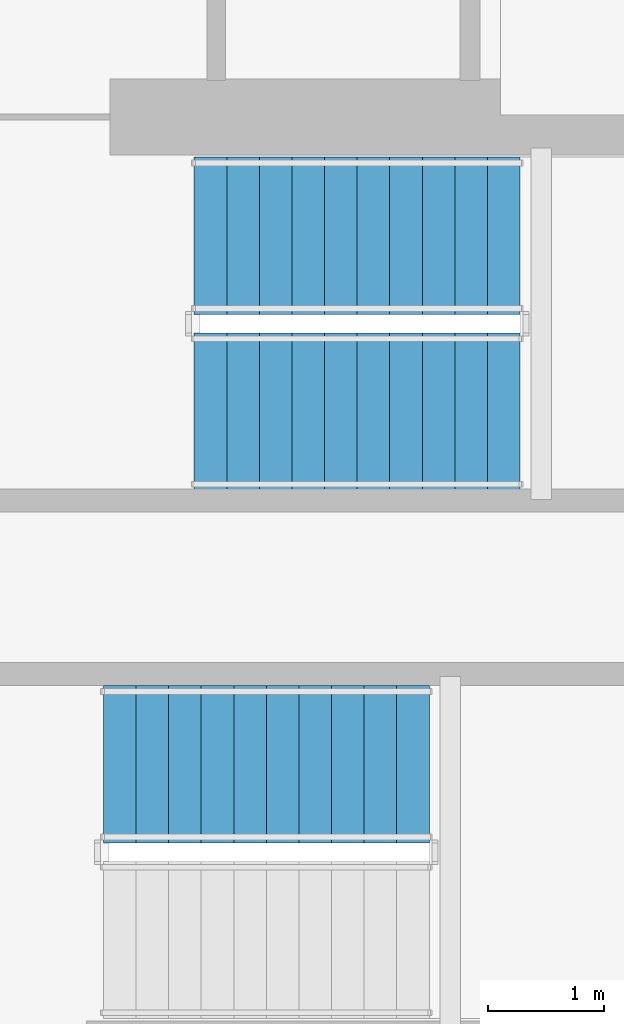
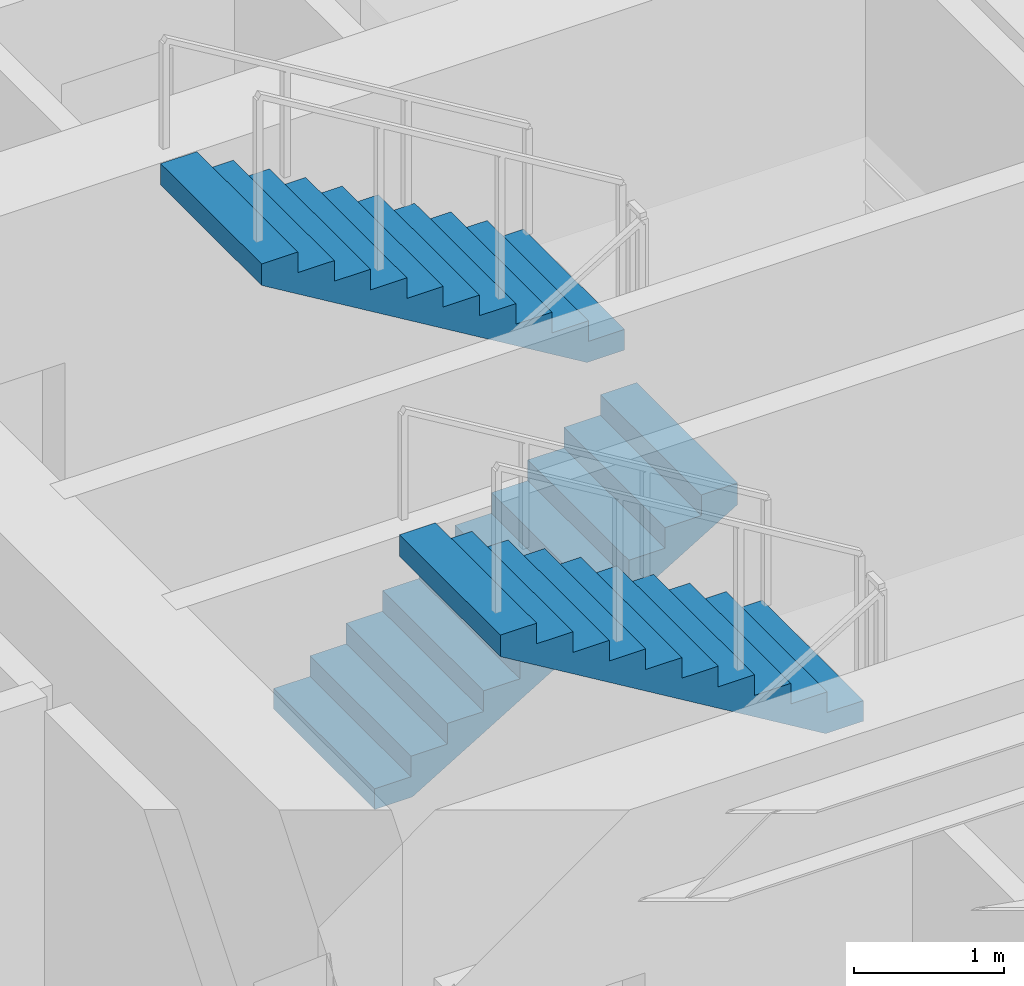
# One storey, part 19 of 23: 3 stair flights, 2 elements without a shape of their own.
"""IFC4 building model written with IfcOpenShell, lengths in metres."""

from ifc_helpers import new_model, si_unit, direction, frame, origin, place, context, subcontext, project, spatial, polyline, outline, extrude, material, type_object, element, aggregate, save


model = new_model("IFC4")

# Units and contexts
model_context = context("Model", 3, precision=1e-05, world=origin(), true_north=direction((0.0, 1.0)))
body_context = subcontext(model_context, "Body", "Model", "MODEL_VIEW")
ifc_project = project(units=[si_unit("LENGTHUNIT", "METRE"), si_unit("AREAUNIT", "SQUARE_METRE"), si_unit("VOLUMEUNIT", "CUBIC_METRE"), si_unit("PLANEANGLEUNIT", "RADIAN"), si_unit("MASSUNIT", "GRAM", prefix="KILO")], contexts=[model_context])

# Site, building, storey
site_placement = place(None, origin())
site = spatial("IfcSite", under=ifc_project, at=site_placement, CompositionType="ELEMENT")
building_placement = place(site_placement, origin())
building = spatial("IfcBuilding", under=site, at=building_placement, Name="Qianvela Tower", CompositionType="ELEMENT")
storey_placement = place(building_placement, frame((0.0, 0.0, 36.800048828125)))
storey = spatial("IfcBuildingStorey", under=building, at=storey_placement, Name="L08", CompositionType="ELEMENT", Elevation=36.800048828125)

# Stair, stair flights
ifc_material_1 = material(Name="Concrete C40", Category="concrete")
stair_type = type_object("IfcStairType", Name="ST-DOGLEG-1350-R168-N22", PredefinedType="HALF_TURN_STAIR", material=ifc_material_1)
stair_1_placement = place(storey_placement, origin())
stair_1 = element("IfcStair", 1, at=stair_1_placement, inside=storey, type_object=stair_type, Name="L08 Smoke-Proof Core Stair ST-1", PredefinedType="HALF_TURN_STAIR")
ifc_material_2 = material(Name="Concrete C40", Category="concrete")
stair_flight_type = type_object("IfcStairFlightType", Name="STF-STRAIGHT-R168-P11", PredefinedType="STRAIGHT", material=ifc_material_2)
stair_flight_1_placement = place(storey_placement, frame((32.199951171875, 30.215087890625, 0.0), z_axis=(0.0, 0.0, 1.0), x_axis=(1.0, 0.0, 0.0)))
stair_flight_1 = element("IfcStairFlight", 2, at=stair_flight_1_placement, type_object=stair_flight_type, Name="ST-1 flight 1", NumberOfRisers=11, NumberOfTreads=10, PredefinedType="STRAIGHT", RiserHeight=0.168181818, TreadLength=0.28, context=body_context, shape_type="SweptSolid", body=[
    extrude(outline(polyline([(0.0, 0.0), (0.0, 0.168212890625), (0.280029296875, 0.168212890625), (0.280029296875, 0.33642578125), (0.56005859375, 0.33642578125), (0.56005859375, 0.504638671875), (0.840087890625, 0.504638671875), (0.840087890625, 0.672607421875), (1.1201171875, 0.672607421875), (1.1201171875, 0.8408203125), (1.39990234375, 0.8408203125), (1.39990234375, 1.009033203125), (1.679931640625, 1.009033203125), (1.679931640625, 1.17724609375), (1.9599609375, 1.17724609375), (1.9599609375, 1.345458984375), (2.239990234375, 1.345458984375), (2.239990234375, 1.513671875), (2.52001953125, 1.513671875), (2.52001953125, 1.681884765625), (2.800048828125, 1.681884765625), (2.800048828125, 1.85009765625), (2.800048828125, 1.5068359375), (0.291015625, 0.0), (0.0, 0.0)])), frame((0.0, 0.675048828125, 0.0), z_axis=(0.0, -1.0, 0.0), x_axis=(1.0, 0.0, 0.0)), (0.0, 0.0, 1.0), 1.35009765625),
])
stair_flight_2_placement = place(storey_placement, frame((35.0, 31.72509765625, 1.849853515625), z_axis=(0.0, 0.0, 1.0), x_axis=(-1.0, 0.0, 0.0)))
stair_flight_2 = element("IfcStairFlight", 3, at=stair_flight_2_placement, type_object=stair_flight_type, Name="ST-1 flight 2", NumberOfRisers=11, NumberOfTreads=10, PredefinedType="STRAIGHT", RiserHeight=0.168181818, TreadLength=0.28, context=body_context, shape_type="SweptSolid", body=[
    extrude(outline(polyline([(0.0, 0.0), (0.0, 0.168212890625), (0.280029296875, 0.168212890625), (0.280029296875, 0.33642578125), (0.56005859375, 0.33642578125), (0.56005859375, 0.504638671875), (0.840087890625, 0.504638671875), (0.840087890625, 0.672607421875), (1.1201171875, 0.672607421875), (1.1201171875, 0.8408203125), (1.39990234375, 0.8408203125), (1.39990234375, 1.009033203125), (1.679931640625, 1.009033203125), (1.679931640625, 1.17724609375), (1.9599609375, 1.17724609375), (1.9599609375, 1.345458984375), (2.239990234375, 1.345458984375), (2.239990234375, 1.513671875), (2.52001953125, 1.513671875), (2.52001953125, 1.681884765625), (2.800048828125, 1.681884765625), (2.800048828125, 1.85009765625), (2.800048828125, 1.5068359375), (0.291015625, 0.0), (0.0, 0.0)])), frame((0.0, 0.675048828125, 0.0), z_axis=(0.0, -1.0, 0.0), x_axis=(1.0, 0.0, 0.0)), (0.0, 0.0, 1.0), 1.35009765625),
])
aggregate(stair_1, [stair_flight_1, stair_flight_2])

# Stair, stair flight
stair_2_placement = place(storey_placement, origin())
stair_2 = element("IfcStair", 4, at=stair_2_placement, inside=storey, type_object=stair_type, Name="L08 Smoke-Proof Core Stair ST-2", PredefinedType="HALF_TURN_STAIR")
stair_flight_3_placement = place(storey_placement, frame((34.219970703125, 27.18505859375, 1.849853515625), z_axis=(0.0, 0.0, 1.0), x_axis=(-1.0, 0.0, 0.0)))
stair_flight_3 = element("IfcStairFlight", 5, at=stair_flight_3_placement, type_object=stair_flight_type, Name="ST-2 flight 2", NumberOfRisers=11, NumberOfTreads=10, PredefinedType="STRAIGHT", RiserHeight=0.168181818, TreadLength=0.28, context=body_context, shape_type="SweptSolid", body=[
    extrude(outline(polyline([(0.0, 0.0), (0.0, 0.168212890625), (0.280029296875, 0.168212890625), (0.280029296875, 0.33642578125), (0.56005859375, 0.33642578125), (0.56005859375, 0.504638671875), (0.840087890625, 0.504638671875), (0.840087890625, 0.672607421875), (1.1201171875, 0.672607421875), (1.1201171875, 0.8408203125), (1.39990234375, 0.8408203125), (1.39990234375, 1.009033203125), (1.679931640625, 1.009033203125), (1.679931640625, 1.17724609375), (1.9599609375, 1.17724609375), (1.9599609375, 1.345458984375), (2.239990234375, 1.345458984375), (2.239990234375, 1.513671875), (2.52001953125, 1.513671875), (2.52001953125, 1.681884765625), (2.800048828125, 1.681884765625), (2.800048828125, 1.85009765625), (2.800048828125, 1.5068359375), (0.291015625, 0.0), (0.0, 0.0)])), frame((0.0, 0.675048828125, 0.0), z_axis=(0.0, -1.0, 0.0), x_axis=(1.0, 0.0, 0.0)), (0.0, 0.0, 1.0), 1.35009765625),
])
aggregate(stair_2, [stair_flight_3])

save(model, "model.ifc")
